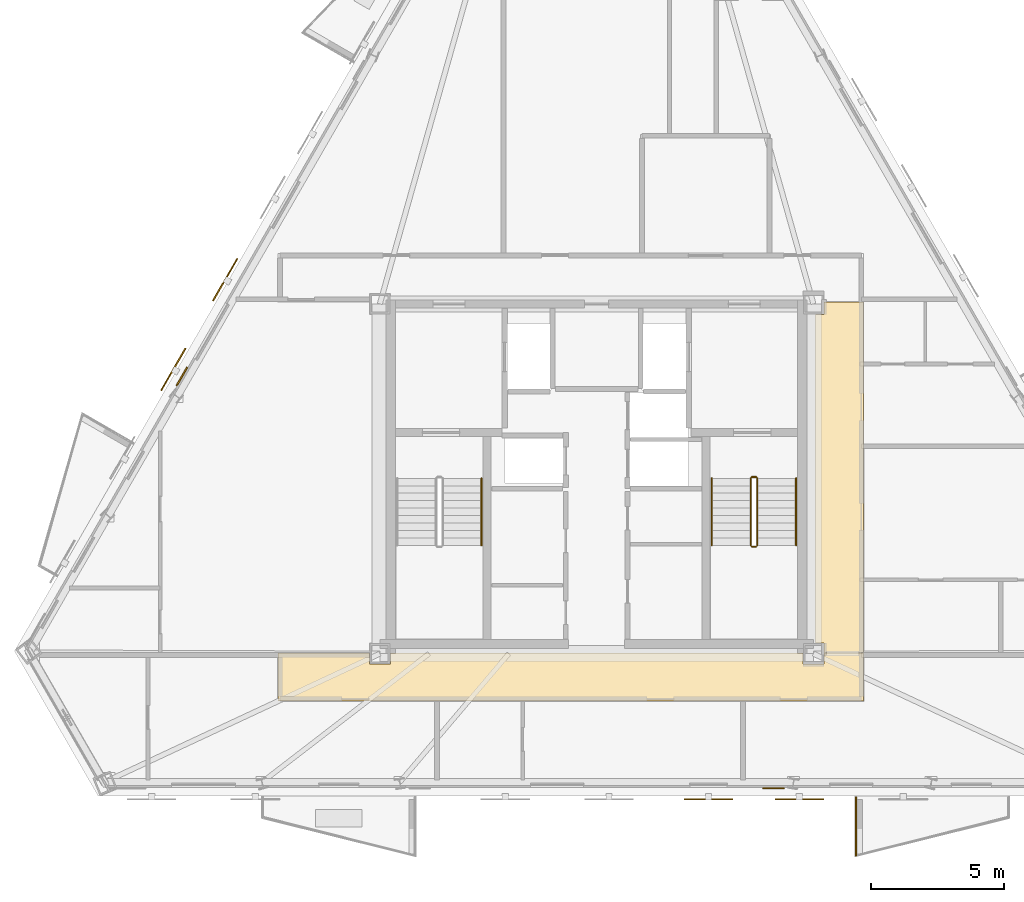
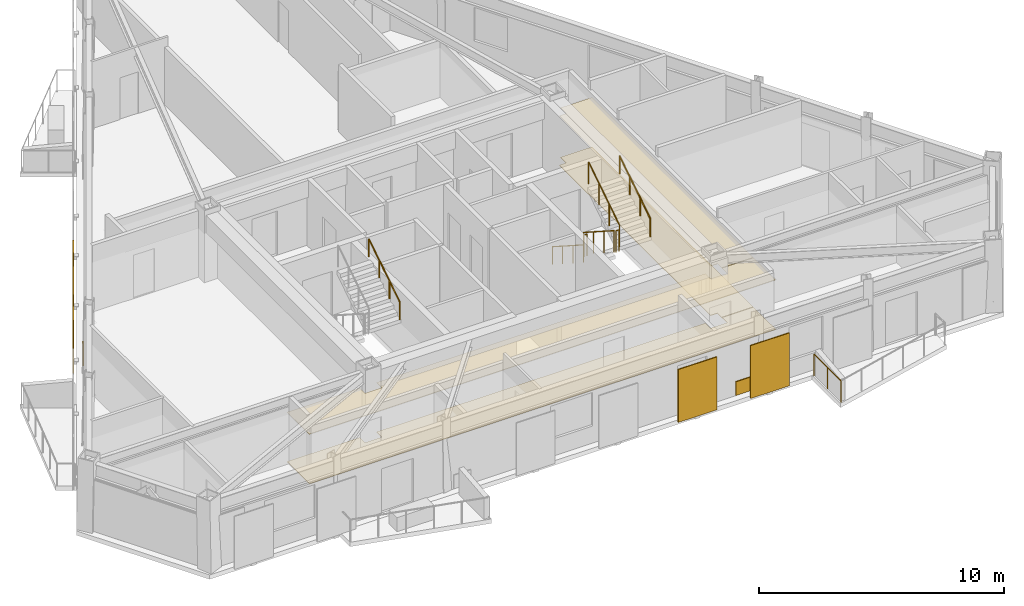
# One storey, part 7 of 8: 8 railings, 6 coverings, 4 shading devices.
"""IFC4 building model written with IfcOpenShell, lengths in metres."""

from ifc_helpers import new_model, si_unit, direction, frame, origin, origin_2d, place, context, subcontext, project, spatial, polyline, rectangle, circle, outline, extrude, material, layer, layer_set, type_object, element, save


model = new_model("IFC4")

# Units and contexts
model_context = context("Model", 3, precision=1e-05, world=origin(), true_north=direction((0.0, 1.0)))
body_context = subcontext(model_context, "Body", "Model", "MODEL_VIEW")
ifc_project = project(units=[si_unit("LENGTHUNIT", "METRE"), si_unit("AREAUNIT", "SQUARE_METRE"), si_unit("VOLUMEUNIT", "CUBIC_METRE"), si_unit("PLANEANGLEUNIT", "RADIAN"), si_unit("MASSUNIT", "GRAM", prefix="KILO")], contexts=[model_context])

# Site, building, storey
site_placement = place(None, origin())
site = spatial("IfcSite", under=ifc_project, at=site_placement, CompositionType="ELEMENT")
building_placement = place(site_placement, origin())
building = spatial("IfcBuilding", under=site, at=building_placement, Name="Oramaril Tower", CompositionType="ELEMENT")
storey_placement = place(building_placement, frame((0.0, 0.0, 241.5)))
storey = spatial("IfcBuildingStorey", under=building, at=storey_placement, Name="L64", CompositionType="ELEMENT", Elevation=241.5)

# Coverings
ifc_material_1 = material(Name="Mineral Fibre Acoustic Ceiling")
ifc_layer_1 = layer(ifc_material_1, 0.02001953125)
ifc_layer_set_1 = layer_set([ifc_layer_1], Name="CVT-CEIL")
covering_type_1 = type_object("IfcCoveringType", Name="CVT-CEIL", PredefinedType="CEILING", material=ifc_layer_set_1)
covering_1_placement = place(storey_placement, frame((0.0, 0.0, 2.471923828125)))
element("IfcCovering", 1, at=covering_1_placement, inside=storey, type_object=covering_type_1, Name="L64 Acoustic Suspended Ceiling 1", PredefinedType="CEILING", context=body_context, shape_type="SweptSolid", body=[
    extrude(outline(polyline([(28.955078125, 10.60498046875), (29.7451171875, 10.60498046875), (29.7451171875, 11.030029296875), (45.2548828125, 11.030029296875), (45.2548828125, 10.60498046875), (46.044921875, 10.60498046875), (46.044921875, 11.030029296875), (47.530029296875, 11.030029296875), (47.530029296875, 9.219970703125), (25.52001953125, 9.219970703125), (25.52001953125, 11.030029296875), (28.955078125, 11.030029296875), (28.955078125, 10.60498046875)])), origin(), (0.0, 0.0, 1.0), 0.02001953125),
])
covering_2_placement = place(storey_placement, frame((0.0, 0.0, 2.471923828125)))
element("IfcCovering", 2, at=covering_2_placement, inside=storey, type_object=covering_type_1, Name="L64 Acoustic Suspended Ceiling 3", PredefinedType="CEILING", context=body_context, shape_type="SweptSolid", body=[
    extrude(outline(polyline([(47.530029296875, 11.050048828125), (46.044921875, 11.050048828125), (46.044921875, 11.39501953125), (45.719970703125, 11.39501953125), (45.719970703125, 23.7548828125), (46.044921875, 23.7548828125), (46.044921875, 24.219970703125), (47.530029296875, 24.219970703125), (47.530029296875, 11.050048828125)])), origin(), (0.0, 0.0, 1.0), 0.02001953125),
])
ifc_material_2 = material(Name="Warm Cream Limestone", Category="masonry")
ifc_layer_2 = layer(ifc_material_2, 0.050048828125)
ifc_layer_set_2 = layer_set([ifc_layer_2], Name="CVT-CLD")
covering_type_2 = type_object("IfcCoveringType", Name="CVT-CLD", PredefinedType="CLADDING", material=ifc_layer_set_2)
for number, where, z_axis, x_axis, name in (
    (3, (44.151123046875, 5.9375, 0.0400390625), (0.0, 0.0, 1.0), (1.0, 0.0, 0.0), "L64 Warm Cream Limestone Spandrel Cladding"),
    (4, (21.9091796875, 21.421142578125, 0.0400390625), (0.0, 0.0, 1.0), (-0.4999984885, -0.866026276448, 0.0), "L64 Warm Cream Limestone Spandrel Cladding"),
):
    element("IfcCovering", number, at=place(storey_placement, frame(where, z_axis=z_axis, x_axis=x_axis)), inside=storey, type_object=covering_type_2, Name=name, PredefinedType="CLADDING", context=body_context, shape_type="SweptSolid", body=[
        extrude(rectangle(XDim=0.800048828125, YDim=0.050048828125, at=origin_2d()), origin(), (0.0, 0.0, 1.0), 0.679931640625),
    ])
ifc_material_3 = material(Name="Honed Quartzite Stone Flooring", Category="masonry")
ifc_layer_3 = layer(ifc_material_3, 0.02490234375)
ifc_layer_set_3 = layer_set([ifc_layer_3], Name="CVT-FLR")
covering_type_3 = type_object("IfcCoveringType", Name="CVT-FLR", PredefinedType="FLOORING", material=ifc_layer_set_3)
covering_3_placement = place(storey_placement, origin())
element("IfcCovering", 5, at=covering_3_placement, inside=storey, type_object=covering_type_3, Name="L64 Honed Stone Floor Finish 1", PredefinedType="FLOORING", context=body_context, shape_type="SweptSolid", body=[
    extrude(outline(polyline([(28.955078125, 10.60498046875), (29.7451171875, 10.60498046875), (29.7451171875, 11.030029296875), (45.2548828125, 11.030029296875), (45.2548828125, 10.60498046875), (46.044921875, 10.60498046875), (46.044921875, 11.030029296875), (47.530029296875, 11.030029296875), (47.530029296875, 9.219970703125), (25.52001953125, 9.219970703125), (25.52001953125, 11.030029296875), (28.955078125, 11.030029296875), (28.955078125, 10.60498046875)])), origin(), (0.0, 0.0, 1.0), 0.02490234375),
])
covering_4_placement = place(storey_placement, origin())
element("IfcCovering", 6, at=covering_4_placement, inside=storey, type_object=covering_type_3, Name="L64 Honed Stone Floor Finish 3", PredefinedType="FLOORING", context=body_context, shape_type="SweptSolid", body=[
    extrude(outline(polyline([(47.530029296875, 11.050048828125), (46.044921875, 11.050048828125), (46.044921875, 11.39501953125), (45.719970703125, 11.39501953125), (45.719970703125, 23.7548828125), (46.044921875, 23.7548828125), (46.044921875, 24.219970703125), (47.530029296875, 24.219970703125), (47.530029296875, 11.050048828125)])), origin(), (0.0, 0.0, 1.0), 0.02490234375),
])

# Railings
ifc_material_4 = material(Name="Stainless Steel 316L", Category="steel")
railing_type_1 = type_object("IfcRailingType", Name="RLT-GRD", PredefinedType="GUARDRAIL", material=ifc_material_4)
railing_1_placement = place(storey_placement, frame((47.251220703125, 3.405517578125, 0.0)))
element("IfcRailing", 7, at=railing_1_placement, inside=storey, type_object=railing_type_1, Name="L64 Balcony Guardrail L64-BAL-S2.3", PredefinedType="GUARDRAIL", context=body_context, shape_type="SweptSolid", body=[
    extrude(circle(Radius=0.02392578125, at=origin_2d()), frame((0.0, 0.0, 1.076171875), z_axis=(0.0, 1.0, 0.0), x_axis=(-1.0, 0.0, 0.0)), (0.0, 0.0, 1.0), 2.19189453125),
    extrude(circle(Radius=0.02099609375, at=origin_2d()), origin(), (0.0, 0.0, 1.0), 1.052001953125),
    extrude(circle(Radius=0.02099609375, at=origin_2d()), frame((0.0, 1.095947265625, 0.0)), (0.0, 0.0, 1.0), 1.052001953125),
    extrude(circle(Radius=0.02099609375, at=origin_2d()), frame((0.0, 2.19189453125, 0.0)), (0.0, 0.0, 1.0), 1.052001953125),
])
railing_2_placement = place(storey_placement, frame((43.2900390625, 17.590087890625, 0.179931640625)))
element("IfcRailing", 8, at=railing_2_placement, inside=storey, type_object=railing_type_1, Name="L64 ST-2 stair guard 1", PredefinedType="GUARDRAIL", context=body_context, shape_type="SweptSolid", body=[
    extrude(circle(Radius=0.02392578125, at=origin_2d()), frame((0.0, 0.0, 1.076171875), z_axis=(0.0, -0.841162588446, 0.540782303519), x_axis=(1.0, 0.0, 0.0)), (0.0, 0.0, 1.0), 2.995849609375),
    extrude(circle(Radius=0.02099609375, at=origin_2d()), origin(), (0.0, 0.0, 1.0), 1.052001953125),
    extrude(circle(Radius=0.02099609375, at=origin_2d()), frame((0.0, -0.840087890625, 0.5400390625)), (0.0, 0.0, 1.0), 1.052001953125),
    extrude(circle(Radius=0.02099609375, at=origin_2d()), frame((0.0, -1.679931640625, 1.080078125)), (0.0, 0.0, 1.0), 1.052001953125),
    extrude(circle(Radius=0.02099609375, at=origin_2d()), frame((0.0, -2.52001953125, 1.6201171875)), (0.0, 0.0, 1.0), 1.052001953125),
])
railing_3_placement = place(storey_placement, frame((43.340087890625, 15.02001953125, 1.800048828125)))
element("IfcRailing", 9, at=railing_3_placement, inside=storey, type_object=railing_type_1, Name="L64 ST-2 stair guard 2", PredefinedType="GUARDRAIL", context=body_context, shape_type="SweptSolid", body=[
    extrude(circle(Radius=0.02392578125, at=origin_2d()), frame((0.0, 0.0, 1.076171875), z_axis=(1.0, 0.0, 0.0), x_axis=(0.0, 1.0, 0.0)), (0.0, 0.0, 1.0), 0.14990234375),
    extrude(circle(Radius=0.02099609375, at=origin_2d()), origin(), (0.0, 0.0, 1.0), 1.052001953125),
    extrude(circle(Radius=0.02099609375, at=origin_2d()), frame((0.14990234375, 0.0, 0.0)), (0.0, 0.0, 1.0), 1.052001953125),
])
railing_4_placement = place(storey_placement, frame((43.5400390625, 15.070068359375, 1.97998046875)))
element("IfcRailing", 10, at=railing_4_placement, inside=storey, type_object=railing_type_1, Name="L64 ST-2 stair guard 3", PredefinedType="GUARDRAIL", context=body_context, shape_type="SweptSolid", body=[
    extrude(circle(Radius=0.02392578125, at=origin_2d()), frame((0.0, 0.0, 1.076171875), z_axis=(0.0, 0.841162588446, 0.540782303519), x_axis=(-1.0, 0.0, 0.0)), (0.0, 0.0, 1.0), 2.995849609375),
    extrude(circle(Radius=0.02099609375, at=origin_2d()), origin(), (0.0, 0.0, 1.0), 1.052001953125),
    extrude(circle(Radius=0.02099609375, at=origin_2d()), frame((0.0, 0.840087890625, 0.5400390625)), (0.0, 0.0, 1.0), 1.052001953125),
    extrude(circle(Radius=0.02099609375, at=origin_2d()), frame((0.0, 1.679931640625, 1.080078125)), (0.0, 0.0, 1.0), 1.052001953125),
    extrude(circle(Radius=0.02099609375, at=origin_2d()), frame((0.0, 2.52001953125, 1.6201171875)), (0.0, 0.0, 1.0), 1.052001953125),
])
railing_5_placement = place(storey_placement, frame((43.340087890625, 17.639892578125, 0.0)))
element("IfcRailing", 11, at=railing_5_placement, inside=storey, type_object=railing_type_1, Name="L64 ST-2 stair guard 4", PredefinedType="GUARDRAIL", context=body_context, shape_type="SweptSolid", body=[
    extrude(circle(Radius=0.02392578125, at=origin_2d()), frame((0.0, 0.0, 1.076171875), z_axis=(1.0, 0.0, 0.0), x_axis=(0.0, 1.0, 0.0)), (0.0, 0.0, 1.0), 0.14990234375),
    extrude(circle(Radius=0.02099609375, at=origin_2d()), origin(), (0.0, 0.0, 1.0), 1.052001953125),
    extrude(circle(Radius=0.02099609375, at=origin_2d()), frame((0.14990234375, 0.0, 0.0)), (0.0, 0.0, 1.0), 1.052001953125),
])
ifc_material_5 = material(Name="Stainless Steel 316L", Category="steel")
railing_type_2 = type_object("IfcRailingType", Name="RLT-HND", PredefinedType="HANDRAIL", material=ifc_material_5)
railing_6_placement = place(storey_placement, frame((33.169921875, 15.070068359375, 1.97998046875)))
element("IfcRailing", 12, at=railing_6_placement, inside=storey, type_object=railing_type_2, Name="L64 ST-1 stair handrail 2", PredefinedType="HANDRAIL", context=body_context, shape_type="SweptSolid", body=[
    extrude(circle(Radius=0.02392578125, at=origin_2d()), frame((0.0, 0.0, 0.8759765625), z_axis=(0.0, 0.841162588446, 0.540782303519), x_axis=(-1.0, 0.0, 0.0)), (0.0, 0.0, 1.0), 2.995849609375),
    extrude(circle(Radius=0.02099609375, at=origin_2d()), origin(), (0.0, 0.0, 1.0), 0.851806640625),
    extrude(circle(Radius=0.02099609375, at=origin_2d()), frame((0.0, 0.840087890625, 0.5400390625)), (0.0, 0.0, 1.0), 0.851806640625),
    extrude(circle(Radius=0.02099609375, at=origin_2d()), frame((0.0, 1.679931640625, 1.080078125)), (0.0, 0.0, 1.0), 0.851806640625),
    extrude(circle(Radius=0.02099609375, at=origin_2d()), frame((0.0, 2.52001953125, 1.6201171875)), (0.0, 0.0, 1.0), 0.851806640625),
])
railing_7_placement = place(storey_placement, frame((41.830078125, 17.590087890625, 0.179931640625)))
element("IfcRailing", 13, at=railing_7_placement, inside=storey, type_object=railing_type_2, Name="L64 ST-2 stair handrail 1", PredefinedType="HANDRAIL", context=body_context, shape_type="SweptSolid", body=[
    extrude(circle(Radius=0.02392578125, at=origin_2d()), frame((0.0, 0.0, 0.8759765625), z_axis=(0.0, -0.841162588446, 0.540782303519), x_axis=(1.0, 0.0, 0.0)), (0.0, 0.0, 1.0), 2.995849609375),
    extrude(circle(Radius=0.02099609375, at=origin_2d()), origin(), (0.0, 0.0, 1.0), 0.851806640625),
    extrude(circle(Radius=0.02099609375, at=origin_2d()), frame((0.0, -0.840087890625, 0.5400390625)), (0.0, 0.0, 1.0), 0.851806640625),
    extrude(circle(Radius=0.02099609375, at=origin_2d()), frame((0.0, -1.679931640625, 1.080078125)), (0.0, 0.0, 1.0), 0.851806640625),
    extrude(circle(Radius=0.02099609375, at=origin_2d()), frame((0.0, -2.52001953125, 1.6201171875)), (0.0, 0.0, 1.0), 0.851806640625),
])
railing_8_placement = place(storey_placement, frame((45.0, 15.070068359375, 1.97998046875)))
element("IfcRailing", 14, at=railing_8_placement, inside=storey, type_object=railing_type_2, Name="L64 ST-2 stair handrail 2", PredefinedType="HANDRAIL", context=body_context, shape_type="SweptSolid", body=[
    extrude(circle(Radius=0.02392578125, at=origin_2d()), frame((0.0, 0.0, 0.8759765625), z_axis=(0.0, 0.841162588446, 0.540782303519), x_axis=(-1.0, 0.0, 0.0)), (0.0, 0.0, 1.0), 2.995849609375),
    extrude(circle(Radius=0.02099609375, at=origin_2d()), origin(), (0.0, 0.0, 1.0), 0.851806640625),
    extrude(circle(Radius=0.02099609375, at=origin_2d()), frame((0.0, 0.840087890625, 0.5400390625)), (0.0, 0.0, 1.0), 0.851806640625),
    extrude(circle(Radius=0.02099609375, at=origin_2d()), frame((0.0, 1.679931640625, 1.080078125)), (0.0, 0.0, 1.0), 0.851806640625),
    extrude(circle(Radius=0.02099609375, at=origin_2d()), frame((0.0, 2.52001953125, 1.6201171875)), (0.0, 0.0, 1.0), 0.851806640625),
])

# Shading devices
for number, where, z_axis, x_axis, name in (
    (15, (41.7060546875, 5.525390625, -0.02001953125), (0.0, 0.0, 1.0), (1.0, 0.0, 0.0), "L64 Perforated Ceramic Solar Screen"),
    (16, (45.122802734375, 5.525390625, -0.02001953125), (0.0, 0.0, 1.0), (1.0, 0.0, 0.0), "L64 Perforated Ceramic Solar Screen"),
    (17, (23.535400390625, 25.061767578125, -0.02001953125), (0.0, 0.0, 1.0), (-0.4999984885, -0.866026276448, 0.0), "L64 Perforated Ceramic Solar Screen"),
    (18, (21.58544921875, 21.684326171875, -0.02001953125), (0.0, 0.0, 1.0), (-0.4999984885, -0.866026276448, 0.0), "L64 Perforated Ceramic Solar Screen"),
):
    element("IfcShadingDevice", number, at=place(storey_placement, frame(where, z_axis=z_axis, x_axis=x_axis)), inside=storey, Name=name, ObjectType="SCREEN", PredefinedType="USERDEFINED", context=body_context, shape_type="SweptSolid", body=[
        extrude(rectangle(XDim=1.8330078125, YDim=0.050048828125, at=origin_2d()), origin(), (0.0, 0.0, 1.0), 2.636962890625),
    ])

save(model, "model.ifc")
